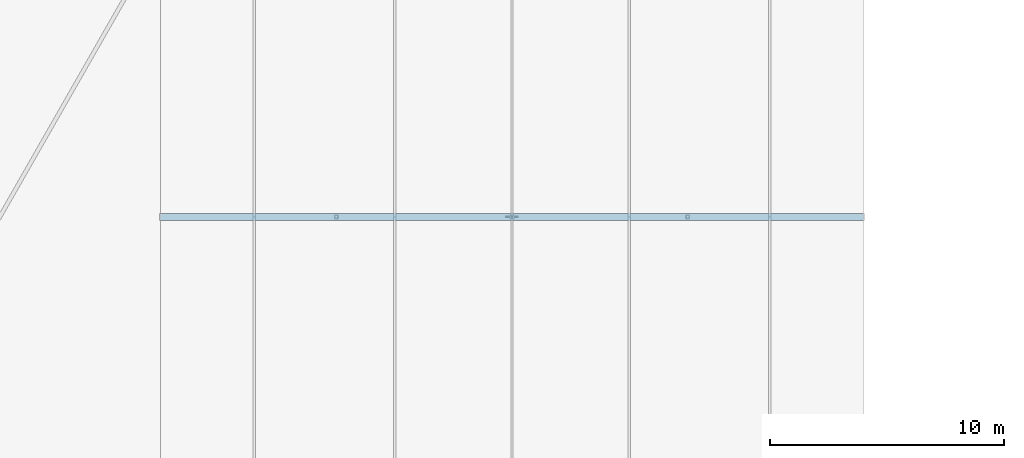
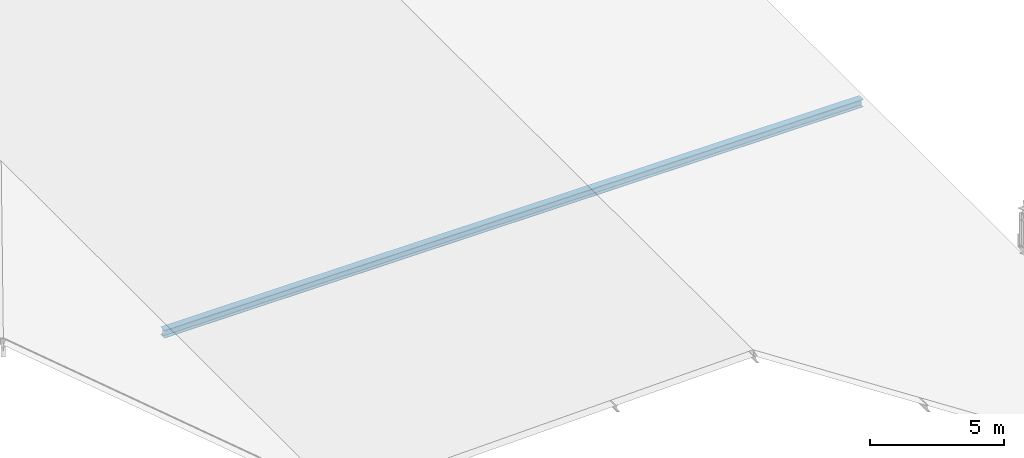
# One storey, part 52 of 204: 1 member.
"""IFC4 building model written with IfcOpenShell, lengths in metres."""

from ifc_helpers import new_model, si_unit, direction, frame, origin, origin_2d, place, context, subcontext, project, spatial, i_section, extrude, material, material_profile, profile_set, type_object, element, save


model = new_model("IFC4")

# Units and contexts
model_context = context("Model", 3, precision=1e-05, world=origin(), true_north=direction((0.0, 1.0)))
body_context = subcontext(model_context, "Body", "Model", "MODEL_VIEW")
ifc_project = project(units=[si_unit("LENGTHUNIT", "METRE"), si_unit("AREAUNIT", "SQUARE_METRE"), si_unit("VOLUMEUNIT", "CUBIC_METRE"), si_unit("PLANEANGLEUNIT", "RADIAN"), si_unit("MASSUNIT", "GRAM", prefix="KILO")], contexts=[model_context])

# Site, building, storey
site_placement = place(None, origin())
site = spatial("IfcSite", under=ifc_project, at=site_placement, CompositionType="ELEMENT")
building_placement = place(site_placement, origin())
building = spatial("IfcBuilding", under=site, at=building_placement, Name="Zilviju Railside Exhibition Hall", CompositionType="ELEMENT")
storey_placement = place(building_placement, frame((0.0, 0.0, 21.0)))
storey = spatial("IfcBuildingStorey", under=building, at=storey_placement, Name="RF", CompositionType="ELEMENT", Elevation=21.0)

# Member
ifc_material = material(Name="Steel S355J2", Category="steel")
ifc_material_profile = material_profile(ifc_material, i_section(OverallWidth=0.300048828125, OverallDepth=0.35009765625, WebThickness=0.010009765625, FlangeThickness=0.017578125, at=origin_2d()), Name="HEA 360")
ifc_profile_set = profile_set([ifc_material_profile], Name="Steel S355J2")
member_type = type_object("IfcMemberType", Name="TR-CH-HEA360", PredefinedType="CHORD", material=ifc_profile_set)
member_placement = place(storey_placement, frame((48.0, 66.0, -8.39990234375), z_axis=(1.0, 0.0, 0.0), x_axis=(0.0, 1.0, 0.0)))
element("IfcMember", 1, at=member_placement, inside=storey, type_object=member_type, Name="Concourse Saddle Tie Chord Y=66.0", PredefinedType="CHORD", context=body_context, shape_type="SweptSolid", body=[
    extrude(i_section(OverallWidth=0.300048828125, OverallDepth=0.35009765625, WebThickness=0.010009765625, FlangeThickness=0.017578125, at=origin_2d()), origin(), (0.0, 0.0, 1.0), 30.0),
])

save(model, "model.ifc")
